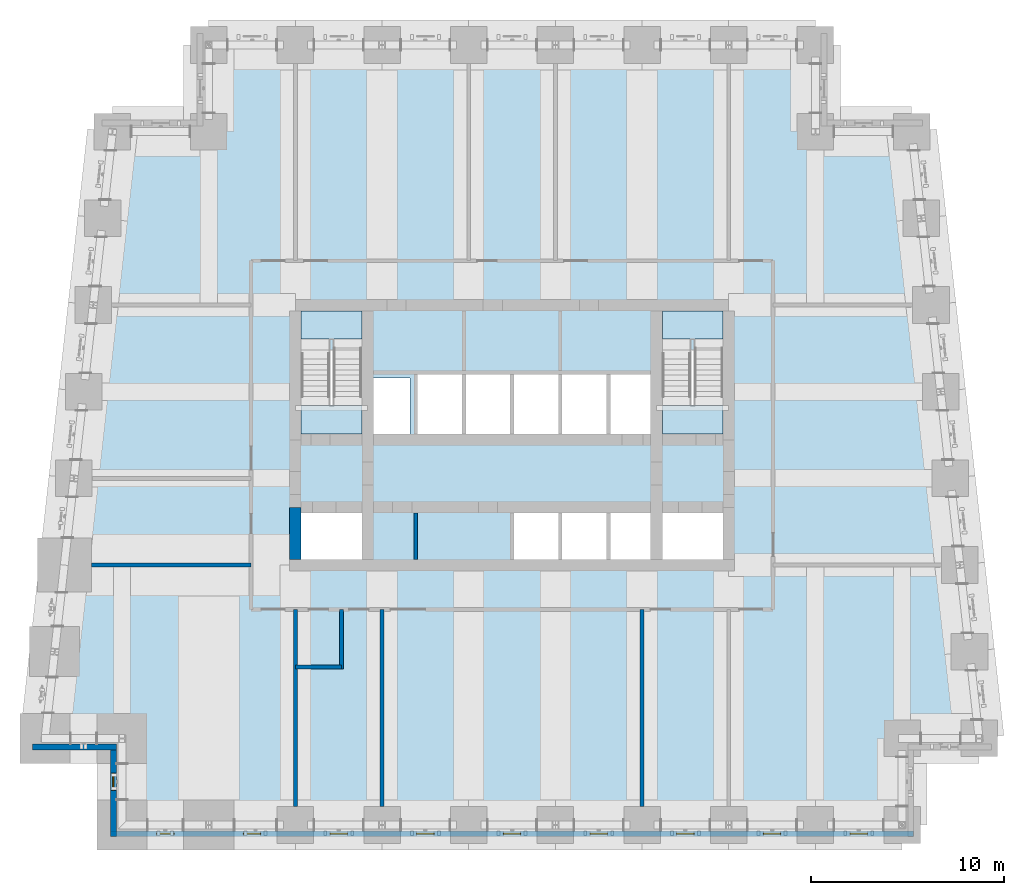
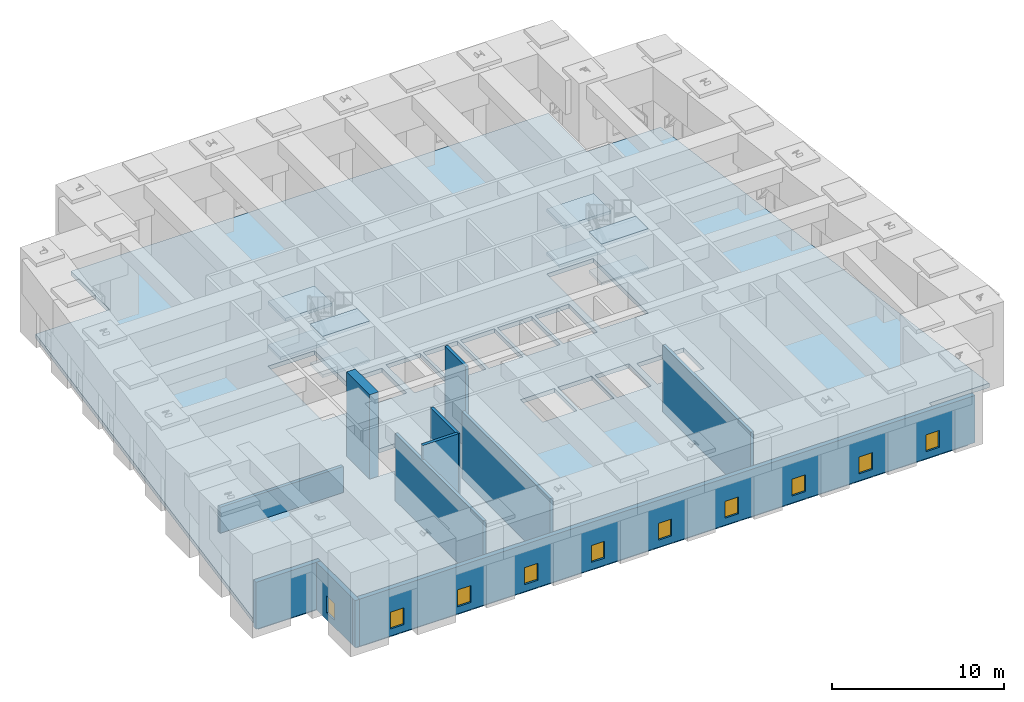
# One storey, part 2 of 17: 11 walls, 10 windows, 9 slabs, 10 openings, 2 elements without a shape of their own.
"""IFC4 building model written with IfcOpenShell, lengths in metres."""

from ifc_helpers import new_model, si_unit, direction, frame, frame_2d, origin, place, context, subcontext, project, spatial, polyline, rectangle, outline, extrude, material, layer, layer_set, type_object, element, fill, aggregate, save


model = new_model("IFC4")

# Units and contexts
model_context = context("Model", 3, precision=1e-05, world=origin(), true_north=direction((0.0, 1.0)))
body_context = subcontext(model_context, "Body", "Model", "MODEL_VIEW")
ifc_project = project(units=[si_unit("LENGTHUNIT", "METRE"), si_unit("AREAUNIT", "SQUARE_METRE"), si_unit("VOLUMEUNIT", "CUBIC_METRE"), si_unit("PLANEANGLEUNIT", "RADIAN"), si_unit("MASSUNIT", "GRAM", prefix="KILO")], contexts=[model_context])

# Site, building, storey
site_placement = place(None, origin())
site = spatial("IfcSite", under=ifc_project, at=site_placement, CompositionType="ELEMENT")
building_placement = place(site_placement, origin())
building = spatial("IfcBuilding", under=site, at=building_placement, Name="Kilele Tower Hotel", CompositionType="ELEMENT")
storey_placement = place(building_placement, frame((0.0, 0.0, 151.89990234375)))
storey = spatial("IfcBuildingStorey", under=building, at=storey_placement, Name="L39", CompositionType="ELEMENT", Elevation=151.89990234375)

# Slab
ifc_material_1 = material(Name="Concrete C60/75", Category="concrete")
ifc_layer_1 = layer(ifc_material_1, 0.300048828125)
ifc_layer_set_1 = layer_set([ifc_layer_1], Name="Concrete C60/75")
slab_type_1 = type_object("IfcSlabType", Name="Floor slab 300", PredefinedType="FLOOR", material=ifc_layer_set_1)
slab_1_placement = place(storey_placement, frame((0.0, 0.0, -0.2998046875)))
element("IfcSlab", 1, at=slab_1_placement, inside=storey, type_object=slab_type_1, Name="Floor slab L39", PredefinedType="FLOOR", context=body_context, shape_type="SweptSolid", body=[
    extrude(outline(polyline([(8.699951171875, 36.300048828125), (8.699951171875, 40.800048828125), (40.800048828125, 40.800048828125), (40.800048828125, 36.300048828125), (45.7685546875, 36.300048828125), (49.335205078125, 4.199951171875), (45.300048828125, 4.199951171875), (45.300048828125, -0.300048828125), (4.199951171875, -0.300048828125), (4.199951171875, 4.199951171875), (0.164794921875, 4.199951171875), (3.7314453125, 36.300048828125), (8.699951171875, 36.300048828125)]), holes=[polyline([(16.949951171875, 16.199951171875), (13.800048828125, 16.199951171875), (13.800048828125, 13.800048828125), (16.949951171875, 13.800048828125), (16.949951171875, 16.199951171875)]), polyline([(27.14990234375, 13.800048828125), (27.14990234375, 16.39990234375), (24.85009765625, 16.39990234375), (24.85009765625, 13.800048828125), (27.14990234375, 13.800048828125)]), polyline([(19.449951171875, 20.300048828125), (19.449951171875, 23.199951171875), (17.550048828125, 23.199951171875), (17.550048828125, 20.300048828125), (19.449951171875, 20.300048828125)]), polyline([(22.14990234375, 23.39990234375), (19.85009765625, 23.39990234375), (19.85009765625, 20.10009765625), (22.14990234375, 20.10009765625), (22.14990234375, 23.39990234375)]), polyline([(24.64990234375, 20.10009765625), (24.64990234375, 23.39990234375), (22.35009765625, 23.39990234375), (22.35009765625, 20.10009765625), (24.64990234375, 20.10009765625)]), polyline([(27.14990234375, 20.10009765625), (27.14990234375, 23.39990234375), (24.85009765625, 23.39990234375), (24.85009765625, 20.10009765625), (27.14990234375, 20.10009765625)]), polyline([(16.949951171875, 26.699951171875), (13.800048828125, 26.699951171875), (13.800048828125, 20.300048828125), (16.949951171875, 20.300048828125), (16.949951171875, 26.699951171875)]), polyline([(35.699951171875, 13.800048828125), (35.699951171875, 16.199951171875), (32.550048828125, 16.199951171875), (32.550048828125, 13.800048828125), (35.699951171875, 13.800048828125)]), polyline([(29.64990234375, 13.800048828125), (29.64990234375, 16.39990234375), (27.35009765625, 16.39990234375), (27.35009765625, 13.800048828125), (29.64990234375, 13.800048828125)]), polyline([(32.14990234375, 13.800048828125), (32.14990234375, 16.39990234375), (29.85009765625, 16.39990234375), (29.85009765625, 13.800048828125), (32.14990234375, 13.800048828125)]), polyline([(29.64990234375, 20.10009765625), (29.64990234375, 23.39990234375), (27.35009765625, 23.39990234375), (27.35009765625, 20.10009765625), (29.64990234375, 20.10009765625)]), polyline([(32.14990234375, 20.10009765625), (32.14990234375, 23.39990234375), (29.85009765625, 23.39990234375), (29.85009765625, 20.10009765625), (32.14990234375, 20.10009765625)]), polyline([(35.699951171875, 20.300048828125), (35.699951171875, 26.699951171875), (32.550048828125, 26.699951171875), (32.550048828125, 20.300048828125), (35.699951171875, 20.300048828125)])]), origin(), (0.0, 0.0, 1.0), 0.2998046875),
])

# Stair, slabs
ifc_material_2 = material(Name="Precast concrete C40/50", Category="concrete")
stair_type = type_object("IfcStairType", Name="Stair 1475 x 6000", PredefinedType="HALF_TURN_STAIR", material=ifc_material_2)
stair_1_placement = place(storey_placement, origin())
stair_1 = element("IfcStair", 2, at=stair_1_placement, inside=storey, type_object=stair_type, Name="Stair 1 L39", PredefinedType="HALF_TURN_STAIR")
ifc_material_3 = material(Name="Precast concrete C40/50", Category="concrete")
ifc_layer_2 = layer(ifc_material_3, 0.199951171875)
ifc_layer_set_2 = layer_set([ifc_layer_2], Name="Precast concrete C40/50")
slab_type_2 = type_object("IfcSlabType", Name="Stair landing 200", PredefinedType="LANDING", material=ifc_layer_set_2)
slab_2_placement = place(storey_placement, frame((0.0, 0.0, 1.343017578125)))
slab_2 = element("IfcSlab", 3, at=slab_2_placement, type_object=slab_type_2, Name="ST1 landing 1", PredefinedType="LANDING", context=body_context, shape_type="SweptSolid", body=[
    extrude(outline(polyline([(13.800048828125, 25.22509765625), (16.949951171875, 25.22509765625), (16.949951171875, 26.699951171875), (13.800048828125, 26.699951171875), (13.800048828125, 25.22509765625)])), origin(), (0.0, 0.0, 1.0), 0.199951171875),
])
slab_3_placement = place(storey_placement, frame((0.0, 0.0, 3.05712890625)))
slab_3 = element("IfcSlab", 4, at=slab_3_placement, type_object=slab_type_2, Name="ST1 landing 2", PredefinedType="LANDING", context=body_context, shape_type="SweptSolid", body=[
    extrude(outline(polyline([(13.800048828125, 20.300048828125), (16.949951171875, 20.300048828125), (16.949951171875, 21.77490234375), (13.800048828125, 21.77490234375), (13.800048828125, 20.300048828125)])), origin(), (0.0, 0.0, 1.0), 0.199951171875),
])
slab_4_placement = place(storey_placement, frame((0.0, 0.0, 4.4287109375)))
slab_4 = element("IfcSlab", 5, at=slab_4_placement, type_object=slab_type_2, Name="ST1 landing 3", PredefinedType="LANDING", context=body_context, shape_type="SweptSolid", body=[
    extrude(outline(polyline([(13.800048828125, 24.6650390625), (16.949951171875, 24.6650390625), (16.949951171875, 26.699951171875), (13.800048828125, 26.699951171875), (13.800048828125, 24.6650390625)])), origin(), (0.0, 0.0, 1.0), 0.199951171875),
])
slab_5_placement = place(storey_placement, frame((0.0, 0.0, 5.800048828125)))
slab_5 = element("IfcSlab", 6, at=slab_5_placement, type_object=slab_type_2, Name="ST1 landing 4", PredefinedType="LANDING", context=body_context, shape_type="SweptSolid", body=[
    extrude(outline(polyline([(13.800048828125, 20.300048828125), (16.949951171875, 20.300048828125), (16.949951171875, 21.77490234375), (13.800048828125, 21.77490234375), (13.800048828125, 20.300048828125)])), origin(), (0.0, 0.0, 1.0), 0.199951171875),
])
aggregate(stair_1, [slab_2, slab_3, slab_4, slab_5])

stair_2_placement = place(storey_placement, origin())
stair_2 = element("IfcStair", 7, at=stair_2_placement, inside=storey, type_object=stair_type, Name="Stair 2 L39", PredefinedType="HALF_TURN_STAIR")
slab_6_placement = place(storey_placement, frame((0.0, 0.0, 1.343017578125)))
slab_6 = element("IfcSlab", 8, at=slab_6_placement, type_object=slab_type_2, Name="ST2 landing 1", PredefinedType="LANDING", context=body_context, shape_type="SweptSolid", body=[
    extrude(outline(polyline([(32.550048828125, 25.22509765625), (35.699951171875, 25.22509765625), (35.699951171875, 26.699951171875), (32.550048828125, 26.699951171875), (32.550048828125, 25.22509765625)])), origin(), (0.0, 0.0, 1.0), 0.199951171875),
])
slab_7_placement = place(storey_placement, frame((0.0, 0.0, 3.05712890625)))
slab_7 = element("IfcSlab", 9, at=slab_7_placement, type_object=slab_type_2, Name="ST2 landing 2", PredefinedType="LANDING", context=body_context, shape_type="SweptSolid", body=[
    extrude(outline(polyline([(32.550048828125, 20.300048828125), (35.699951171875, 20.300048828125), (35.699951171875, 21.77490234375), (32.550048828125, 21.77490234375), (32.550048828125, 20.300048828125)])), origin(), (0.0, 0.0, 1.0), 0.199951171875),
])
slab_8_placement = place(storey_placement, frame((0.0, 0.0, 4.4287109375)))
slab_8 = element("IfcSlab", 10, at=slab_8_placement, type_object=slab_type_2, Name="ST2 landing 3", PredefinedType="LANDING", context=body_context, shape_type="SweptSolid", body=[
    extrude(outline(polyline([(32.550048828125, 24.6650390625), (35.699951171875, 24.6650390625), (35.699951171875, 26.699951171875), (32.550048828125, 26.699951171875), (32.550048828125, 24.6650390625)])), origin(), (0.0, 0.0, 1.0), 0.199951171875),
])
slab_9_placement = place(storey_placement, frame((0.0, 0.0, 5.800048828125)))
slab_9 = element("IfcSlab", 11, at=slab_9_placement, type_object=slab_type_2, Name="ST2 landing 4", PredefinedType="LANDING", context=body_context, shape_type="SweptSolid", body=[
    extrude(outline(polyline([(32.550048828125, 20.300048828125), (35.699951171875, 20.300048828125), (35.699951171875, 21.77490234375), (32.550048828125, 21.77490234375), (32.550048828125, 20.300048828125)])), origin(), (0.0, 0.0, 1.0), 0.199951171875),
])
aggregate(stair_2, [slab_6, slab_7, slab_8, slab_9])

# Walls
ifc_material_4 = material(Name="Concrete C60/75", Category="concrete")
ifc_layer_3 = layer(ifc_material_4, 0.60009765625)
ifc_layer_set_3 = layer_set([ifc_layer_3], Name="Concrete C60/75")
wall_type_1 = type_object("IfcWallType", Name="Core wall 600 C60/75", PredefinedType="SHEAR", material=ifc_layer_set_3)
wall_1_placement = place(storey_placement, frame((13.5, 16.5, 0.0), z_axis=(0.0, 0.0, 1.0), x_axis=(0.0, -1.0, 0.0)))
element("IfcWall", 12, at=wall_1_placement, inside=storey, type_object=wall_type_1, Name="Core wall W3 L39", PredefinedType="SHEAR", context=body_context, shape_type="SweptSolid", body=[
    extrude(rectangle(XDim=2.699951171875, YDim=0.60009765625, at=frame_2d((1.35009765625, 0.0))), origin(), (0.0, 0.0, 1.0), 6.0),
])
ifc_material_5 = material(Name="Blockwork, plastered both sides", Category="masonry")
ifc_layer_4 = layer(ifc_material_5, 0.199951171875)
ifc_layer_set_4 = layer_set([ifc_layer_4], Name="Blockwork, plastered both sides")
wall_type_2 = type_object("IfcWallType", Name="Partition wall 200", PredefinedType="PARTITIONING", material=ifc_layer_set_4)
for number, where, z_axis, x_axis, name in (
    (13, (13.5, 11.199951171875, 0.0), (0.0, 0.0, 1.0), (0.0, -1.0, 0.0), "Partition wall 200 L39"),
    (14, (18.0, 11.199951171875, 0.0), (0.0, 0.0, 1.0), (0.0, -1.0, 0.0), "Partition wall 200 L39"),
    (15, (31.5, 11.199951171875, 0.0), (0.0, 0.0, 1.0), (0.0, -1.0, 0.0), "Partition wall 200 L39"),
):
    element("IfcWall", number, at=place(storey_placement, frame(where, z_axis=z_axis, x_axis=x_axis)), inside=storey, type_object=wall_type_2, Name=name, PredefinedType="PARTITIONING", context=body_context, shape_type="SweptSolid", body=[
        extrude(rectangle(XDim=10.25, YDim=0.199951171875, at=frame_2d((5.125, 0.0))), origin(), (0.0, 0.0, 1.0), 4.75),
    ])
wall_2_placement = place(storey_placement, frame((11.199951171875, 13.5, 0.0), z_axis=(0.0, 0.0, 1.0), x_axis=(-1.0, 0.0, 0.0)))
element("IfcWall", 16, at=wall_2_placement, inside=storey, type_object=wall_type_2, Name="Partition wall 200 L39", PredefinedType="PARTITIONING", context=body_context, shape_type="SweptSolid", body=[
    extrude(rectangle(XDim=8.299072265625, YDim=0.199951171875, at=frame_2d((4.1494140625, 0.0))), origin(), (0.0, 0.0, 1.0), 1.85009765625),
])
wall_3_placement = place(storey_placement, frame((15.89990234375, 11.199951171875, 0.0), z_axis=(0.0, 0.0, 1.0), x_axis=(0.0, -1.0, 0.0)))
element("IfcWall", 17, at=wall_3_placement, inside=storey, type_object=wall_type_2, Name="Partition wall 200 L39", PredefinedType="PARTITIONING", context=body_context, shape_type="SweptSolid", body=[
    extrude(rectangle(XDim=3.099853515625, YDim=0.199951171875, at=frame_2d((1.5498046875, 0.0))), origin(), (0.0, 0.0, 1.0), 5.75),
])
wall_4_placement = place(storey_placement, frame((13.5, 8.199951171875, 0.0), z_axis=(0.0, 0.0, 1.0), x_axis=(1.0, 0.0, 0.0)))
element("IfcWall", 18, at=wall_4_placement, inside=storey, type_object=wall_type_2, Name="Partition wall 200 L39", PredefinedType="PARTITIONING", context=body_context, shape_type="SweptSolid", body=[
    extrude(rectangle(XDim=2.39990234375, YDim=0.199951171875, at=frame_2d((1.199951171875, 0.0))), origin(), (0.0, 0.0, 1.0), 5.75),
])
ifc_material_6 = material(Name="Concrete C40/50 precast", Category="concrete")
ifc_layer_5 = layer(ifc_material_6, 0.260009765625, Name="Precast backing", Category="LoadBearing")
ifc_material_7 = material(Name="Reconstituted stone finish", Category="masonry")
ifc_layer_6 = layer(ifc_material_7, 0.0400390625, Name="Face mix", Category="Finish")
ifc_layer_set_5 = layer_set([ifc_layer_5, ifc_layer_6], Name="Precast concrete C40/50, reconstituted stone finish")
wall_type_3 = type_object("IfcWallType", Name="Precast stone facade wall 300", PredefinedType="STANDARD", material=ifc_layer_set_5)
wall_5_placement = place(storey_placement, frame((-0.15283203125, 4.050048828125, 0.0), z_axis=(0.0, 0.0, 1.0), x_axis=(1.0, 0.0, 0.0)))
element("IfcWall", 19, at=wall_5_placement, inside=storey, type_object=wall_type_3, Name="Facade wall L39 edge 1", PredefinedType="STANDARD", context=body_context, shape_type="SweptSolid", body=[
    extrude(rectangle(XDim=4.352783203125, YDim=0.300048828125, at=frame_2d((2.17626953125, 0.0))), origin(), (0.0, 0.0, 1.0), 3.35009765625),
])

# Wall, opening, window
wall_6_placement = place(storey_placement, frame((4.050048828125, 4.199951171875, 0.0), z_axis=(0.0, 0.0, 1.0), x_axis=(0.0, -1.0, 0.0)))
wall_6 = element("IfcWall", 20, at=wall_6_placement, inside=storey, type_object=wall_type_3, Name="Facade wall L39 edge 2", PredefinedType="STANDARD", context=body_context, shape_type="SweptSolid", body=[
    extrude(rectangle(XDim=4.800048828125, YDim=0.300048828125, at=frame_2d((2.39990234375, 0.0))), origin(), (0.0, 0.0, 1.0), 3.35009765625),
])
opening_1_placement = place(wall_6_placement, frame((1.5, 0.0, 0.5)))
opening_1 = element("IfcOpeningElement", 21, at=opening_1_placement, cuts=wall_6, Name="Opening LV1", PredefinedType="OPENING", context=body_context, shape_type="SweptSolid", body=[
    extrude(rectangle(XDim=0.89990234375, YDim=1.199951171875, at=frame_2d((0.449951171875, 0.60009765625))), frame((0.0, 0.159912109375, 0.0), z_axis=(0.0, -1.0, 0.0), x_axis=(1.0, 0.0, 0.0)), (0.0, 0.0, 1.0), 0.320068359375),
])
ifc_material_8 = material(Name="Aluminium weather louvre with insect mesh", Category="aluminium")
window_type = type_object("IfcWindowType", Name="Ventilation louvre 900 x 1200", PartitioningType="SINGLE_PANEL", PredefinedType="USERDEFINED", material=ifc_material_8)
window_1_placement = place(opening_1_placement, origin())
window_1 = element("IfcWindow", 22, at=window_1_placement, inside=storey, type_object=window_type, Name="Louvre L39", ObjectType="LOUVRE", OverallHeight=1.199951171875, OverallWidth=0.89990234375, PartitioningType="SINGLE_PANEL", PredefinedType="USERDEFINED", context=body_context, shape_type="SweptSolid", body=[
    extrude(rectangle(XDim=0.89990234375, YDim=1.199951171875, at=frame_2d((0.449951171875, 0.60009765625))), frame((0.0, 0.030029296875, 0.0), z_axis=(0.0, -1.0, 0.0), x_axis=(1.0, 0.0, 0.0)), (0.0, 0.0, 1.0), 0.06005859375),
])
fill(opening_1, window_1)

# Wall, openings, windows
wall_7_placement = place(storey_placement, frame((3.89990234375, -0.449951171875, 0.0), z_axis=(0.0, 0.0, 1.0), x_axis=(1.0, 0.0, 0.0)))
wall_7 = element("IfcWall", 23, at=wall_7_placement, inside=storey, type_object=wall_type_3, Name="Facade wall L39 edge 3", PredefinedType="STANDARD", context=body_context, shape_type="SweptSolid", body=[
    extrude(rectangle(XDim=41.7001953125, YDim=0.300048828125, at=frame_2d((20.85009765625, 0.0))), origin(), (0.0, 0.0, 1.0), 3.35009765625),
])
opening_2_placement = place(wall_7_placement, frame((2.39990234375, 0.0, 0.5)))
opening_2 = element("IfcOpeningElement", 24, at=opening_2_placement, cuts=wall_7, Name="Opening LV1", PredefinedType="OPENING", context=body_context, shape_type="SweptSolid", body=[
    extrude(rectangle(XDim=0.89990234375, YDim=1.199951171875, at=frame_2d((0.449951171875, 0.60009765625))), frame((0.0, 0.159912109375, 0.0), z_axis=(0.0, -1.0, 0.0), x_axis=(1.0, 0.0, 0.0)), (0.0, 0.0, 1.0), 0.320068359375),
])
opening_3_placement = place(wall_7_placement, frame((6.89990234375, 0.0, 0.5)))
opening_3 = element("IfcOpeningElement", 25, at=opening_3_placement, cuts=wall_7, Name="Opening LV1", PredefinedType="OPENING", context=body_context, shape_type="SweptSolid", body=[
    extrude(rectangle(XDim=0.89990234375, YDim=1.199951171875, at=frame_2d((0.449951171875, 0.60009765625))), frame((0.0, 0.159912109375, 0.0), z_axis=(0.0, -1.0, 0.0), x_axis=(1.0, 0.0, 0.0)), (0.0, 0.0, 1.0), 0.320068359375),
])
opening_4_placement = place(wall_7_placement, frame((11.39990234375, 0.0, 0.5)))
opening_4 = element("IfcOpeningElement", 26, at=opening_4_placement, cuts=wall_7, Name="Opening LV1", PredefinedType="OPENING", context=body_context, shape_type="SweptSolid", body=[
    extrude(rectangle(XDim=0.89990234375, YDim=1.199951171875, at=frame_2d((0.449951171875, 0.60009765625))), frame((0.0, 0.159912109375, 0.0), z_axis=(0.0, -1.0, 0.0), x_axis=(1.0, 0.0, 0.0)), (0.0, 0.0, 1.0), 0.320068359375),
])
opening_5_placement = place(wall_7_placement, frame((15.89990234375, 0.0, 0.5)))
opening_5 = element("IfcOpeningElement", 27, at=opening_5_placement, cuts=wall_7, Name="Opening LV1", PredefinedType="OPENING", context=body_context, shape_type="SweptSolid", body=[
    extrude(rectangle(XDim=0.89990234375, YDim=1.199951171875, at=frame_2d((0.449951171875, 0.60009765625))), frame((0.0, 0.159912109375, 0.0), z_axis=(0.0, -1.0, 0.0), x_axis=(1.0, 0.0, 0.0)), (0.0, 0.0, 1.0), 0.320068359375),
])
opening_6_placement = place(wall_7_placement, frame((20.39990234375, 0.0, 0.5)))
opening_6 = element("IfcOpeningElement", 28, at=opening_6_placement, cuts=wall_7, Name="Opening LV1", PredefinedType="OPENING", context=body_context, shape_type="SweptSolid", body=[
    extrude(rectangle(XDim=0.89990234375, YDim=1.199951171875, at=frame_2d((0.449951171875, 0.60009765625))), frame((0.0, 0.159912109375, 0.0), z_axis=(0.0, -1.0, 0.0), x_axis=(1.0, 0.0, 0.0)), (0.0, 0.0, 1.0), 0.320068359375),
])
opening_7_placement = place(wall_7_placement, frame((24.89990234375, 0.0, 0.5)))
opening_7 = element("IfcOpeningElement", 29, at=opening_7_placement, cuts=wall_7, Name="Opening LV1", PredefinedType="OPENING", context=body_context, shape_type="SweptSolid", body=[
    extrude(rectangle(XDim=0.89990234375, YDim=1.199951171875, at=frame_2d((0.449951171875, 0.60009765625))), frame((0.0, 0.159912109375, 0.0), z_axis=(0.0, -1.0, 0.0), x_axis=(1.0, 0.0, 0.0)), (0.0, 0.0, 1.0), 0.320068359375),
])
opening_8_placement = place(wall_7_placement, frame((29.39990234375, 0.0, 0.5)))
opening_8 = element("IfcOpeningElement", 30, at=opening_8_placement, cuts=wall_7, Name="Opening LV1", PredefinedType="OPENING", context=body_context, shape_type="SweptSolid", body=[
    extrude(rectangle(XDim=0.89990234375, YDim=1.199951171875, at=frame_2d((0.449951171875, 0.60009765625))), frame((0.0, 0.159912109375, 0.0), z_axis=(0.0, -1.0, 0.0), x_axis=(1.0, 0.0, 0.0)), (0.0, 0.0, 1.0), 0.320068359375),
])
opening_9_placement = place(wall_7_placement, frame((33.89990234375, 0.0, 0.5)))
opening_9 = element("IfcOpeningElement", 31, at=opening_9_placement, cuts=wall_7, Name="Opening LV1", PredefinedType="OPENING", context=body_context, shape_type="SweptSolid", body=[
    extrude(rectangle(XDim=0.89990234375, YDim=1.199951171875, at=frame_2d((0.449951171875, 0.60009765625))), frame((0.0, 0.159912109375, 0.0), z_axis=(0.0, -1.0, 0.0), x_axis=(1.0, 0.0, 0.0)), (0.0, 0.0, 1.0), 0.320068359375),
])
opening_10_placement = place(wall_7_placement, frame((38.39990234375, 0.0, 0.5)))
opening_10 = element("IfcOpeningElement", 32, at=opening_10_placement, cuts=wall_7, Name="Opening LV1", PredefinedType="OPENING", context=body_context, shape_type="SweptSolid", body=[
    extrude(rectangle(XDim=0.89990234375, YDim=1.199951171875, at=frame_2d((0.449951171875, 0.60009765625))), frame((0.0, 0.159912109375, 0.0), z_axis=(0.0, -1.0, 0.0), x_axis=(1.0, 0.0, 0.0)), (0.0, 0.0, 1.0), 0.320068359375),
])
window_2_placement = place(opening_2_placement, origin())
window_2 = element("IfcWindow", 33, at=window_2_placement, inside=storey, type_object=window_type, Name="Louvre L39", ObjectType="LOUVRE", OverallHeight=1.199951171875, OverallWidth=0.89990234375, PartitioningType="SINGLE_PANEL", PredefinedType="USERDEFINED", context=body_context, shape_type="SweptSolid", body=[
    extrude(rectangle(XDim=0.89990234375, YDim=1.199951171875, at=frame_2d((0.449951171875, 0.60009765625))), frame((0.0, 0.030029296875, 0.0), z_axis=(0.0, -1.0, 0.0), x_axis=(1.0, 0.0, 0.0)), (0.0, 0.0, 1.0), 0.06005859375),
])
fill(opening_2, window_2)
window_3_placement = place(opening_3_placement, origin())
window_3 = element("IfcWindow", 34, at=window_3_placement, inside=storey, type_object=window_type, Name="Louvre L39", ObjectType="LOUVRE", OverallHeight=1.199951171875, OverallWidth=0.89990234375, PartitioningType="SINGLE_PANEL", PredefinedType="USERDEFINED", context=body_context, shape_type="SweptSolid", body=[
    extrude(rectangle(XDim=0.89990234375, YDim=1.199951171875, at=frame_2d((0.449951171875, 0.60009765625))), frame((0.0, 0.030029296875, 0.0), z_axis=(0.0, -1.0, 0.0), x_axis=(1.0, 0.0, 0.0)), (0.0, 0.0, 1.0), 0.06005859375),
])
fill(opening_3, window_3)
window_4_placement = place(opening_4_placement, origin())
window_4 = element("IfcWindow", 35, at=window_4_placement, inside=storey, type_object=window_type, Name="Louvre L39", ObjectType="LOUVRE", OverallHeight=1.199951171875, OverallWidth=0.89990234375, PartitioningType="SINGLE_PANEL", PredefinedType="USERDEFINED", context=body_context, shape_type="SweptSolid", body=[
    extrude(rectangle(XDim=0.89990234375, YDim=1.199951171875, at=frame_2d((0.449951171875, 0.60009765625))), frame((0.0, 0.030029296875, 0.0), z_axis=(0.0, -1.0, 0.0), x_axis=(1.0, 0.0, 0.0)), (0.0, 0.0, 1.0), 0.06005859375),
])
fill(opening_4, window_4)
window_5_placement = place(opening_5_placement, origin())
window_5 = element("IfcWindow", 36, at=window_5_placement, inside=storey, type_object=window_type, Name="Louvre L39", ObjectType="LOUVRE", OverallHeight=1.199951171875, OverallWidth=0.89990234375, PartitioningType="SINGLE_PANEL", PredefinedType="USERDEFINED", context=body_context, shape_type="SweptSolid", body=[
    extrude(rectangle(XDim=0.89990234375, YDim=1.199951171875, at=frame_2d((0.449951171875, 0.60009765625))), frame((0.0, 0.030029296875, 0.0), z_axis=(0.0, -1.0, 0.0), x_axis=(1.0, 0.0, 0.0)), (0.0, 0.0, 1.0), 0.06005859375),
])
fill(opening_5, window_5)
window_6_placement = place(opening_6_placement, origin())
window_6 = element("IfcWindow", 37, at=window_6_placement, inside=storey, type_object=window_type, Name="Louvre L39", ObjectType="LOUVRE", OverallHeight=1.199951171875, OverallWidth=0.89990234375, PartitioningType="SINGLE_PANEL", PredefinedType="USERDEFINED", context=body_context, shape_type="SweptSolid", body=[
    extrude(rectangle(XDim=0.89990234375, YDim=1.199951171875, at=frame_2d((0.449951171875, 0.60009765625))), frame((0.0, 0.030029296875, 0.0), z_axis=(0.0, -1.0, 0.0), x_axis=(1.0, 0.0, 0.0)), (0.0, 0.0, 1.0), 0.06005859375),
])
fill(opening_6, window_6)
window_7_placement = place(opening_7_placement, origin())
window_7 = element("IfcWindow", 38, at=window_7_placement, inside=storey, type_object=window_type, Name="Louvre L39", ObjectType="LOUVRE", OverallHeight=1.199951171875, OverallWidth=0.89990234375, PartitioningType="SINGLE_PANEL", PredefinedType="USERDEFINED", context=body_context, shape_type="SweptSolid", body=[
    extrude(rectangle(XDim=0.89990234375, YDim=1.199951171875, at=frame_2d((0.449951171875, 0.60009765625))), frame((0.0, 0.030029296875, 0.0), z_axis=(0.0, -1.0, 0.0), x_axis=(1.0, 0.0, 0.0)), (0.0, 0.0, 1.0), 0.06005859375),
])
fill(opening_7, window_7)
window_8_placement = place(opening_8_placement, origin())
window_8 = element("IfcWindow", 39, at=window_8_placement, inside=storey, type_object=window_type, Name="Louvre L39", ObjectType="LOUVRE", OverallHeight=1.199951171875, OverallWidth=0.89990234375, PartitioningType="SINGLE_PANEL", PredefinedType="USERDEFINED", context=body_context, shape_type="SweptSolid", body=[
    extrude(rectangle(XDim=0.89990234375, YDim=1.199951171875, at=frame_2d((0.449951171875, 0.60009765625))), frame((0.0, 0.030029296875, 0.0), z_axis=(0.0, -1.0, 0.0), x_axis=(1.0, 0.0, 0.0)), (0.0, 0.0, 1.0), 0.06005859375),
])
fill(opening_8, window_8)
window_9_placement = place(opening_9_placement, origin())
window_9 = element("IfcWindow", 40, at=window_9_placement, inside=storey, type_object=window_type, Name="Louvre L39", ObjectType="LOUVRE", OverallHeight=1.199951171875, OverallWidth=0.89990234375, PartitioningType="SINGLE_PANEL", PredefinedType="USERDEFINED", context=body_context, shape_type="SweptSolid", body=[
    extrude(rectangle(XDim=0.89990234375, YDim=1.199951171875, at=frame_2d((0.449951171875, 0.60009765625))), frame((0.0, 0.030029296875, 0.0), z_axis=(0.0, -1.0, 0.0), x_axis=(1.0, 0.0, 0.0)), (0.0, 0.0, 1.0), 0.06005859375),
])
fill(opening_9, window_9)
window_10_placement = place(opening_10_placement, origin())
window_10 = element("IfcWindow", 41, at=window_10_placement, inside=storey, type_object=window_type, Name="Louvre L39", ObjectType="LOUVRE", OverallHeight=1.199951171875, OverallWidth=0.89990234375, PartitioningType="SINGLE_PANEL", PredefinedType="USERDEFINED", context=body_context, shape_type="SweptSolid", body=[
    extrude(rectangle(XDim=0.89990234375, YDim=1.199951171875, at=frame_2d((0.449951171875, 0.60009765625))), frame((0.0, 0.030029296875, 0.0), z_axis=(0.0, -1.0, 0.0), x_axis=(1.0, 0.0, 0.0)), (0.0, 0.0, 1.0), 0.06005859375),
])
fill(opening_10, window_10)

# Wall
ifc_material_9 = material(Name="Blockwork, fire-rated", Category="masonry")
ifc_layer_7 = layer(ifc_material_9, 0.199951171875)
ifc_layer_set_6 = layer_set([ifc_layer_7], Name="Blockwork, fire-rated")
wall_type_4 = type_object("IfcWallType", Name="Shaft wall 200", PredefinedType="PARTITIONING", material=ifc_layer_set_6)
wall_8_placement = place(storey_placement, frame((19.75, 13.800048828125, 0.0), z_axis=(0.0, 0.0, 1.0), x_axis=(0.0, 1.0, 0.0)))
element("IfcWall", 42, at=wall_8_placement, inside=storey, type_object=wall_type_4, Name="Shaft wall 200 L39", PredefinedType="PARTITIONING", context=body_context, shape_type="SweptSolid", body=[
    extrude(rectangle(XDim=2.39990234375, YDim=0.199951171875, at=frame_2d((1.199951171875, 0.0))), origin(), (0.0, 0.0, 1.0), 5.75),
])

save(model, "model.ifc")
